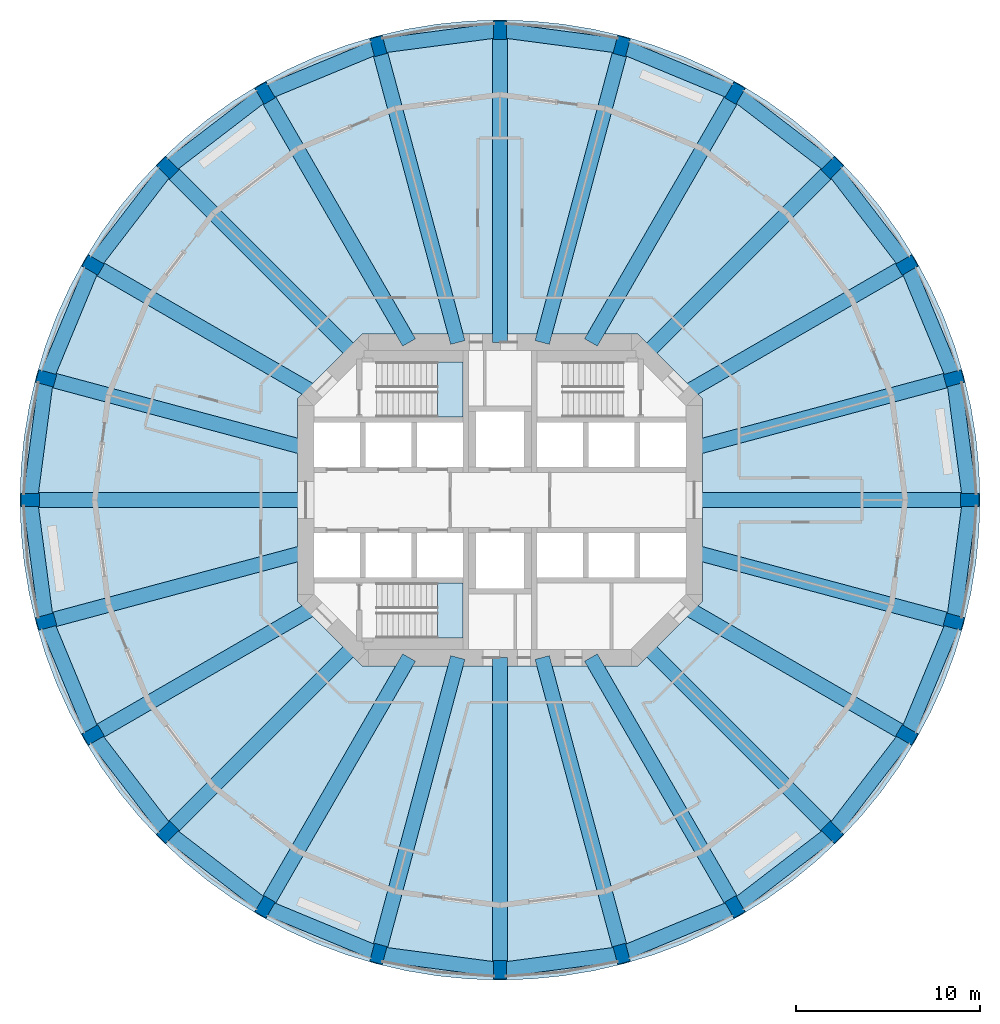
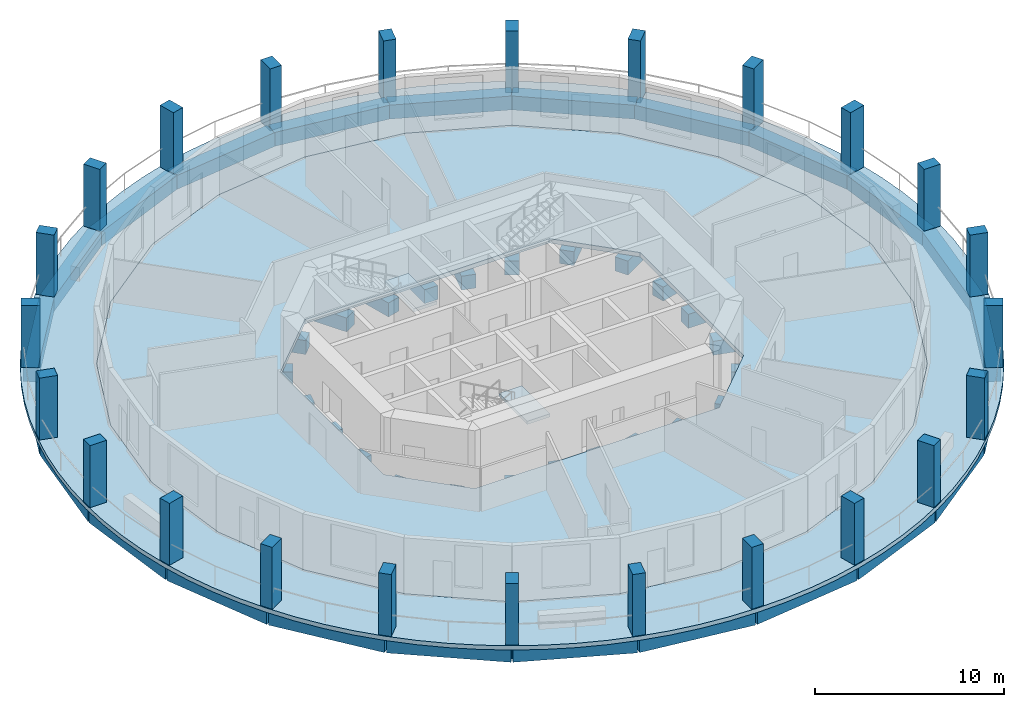
# One storey, part 1 of 8: 48 beams, 24 columns, 4 slabs, 2 elements without a shape of their own.
"""IFC4 building model written with IfcOpenShell, lengths in metres."""

from ifc_helpers import new_model, si_unit, direction, frame, origin, origin_2d, place, context, subcontext, project, spatial, polyline, rectangle, outline, extrude, material, layer, layer_set, material_profile, profile_set, type_object, element, aggregate, save


model = new_model("IFC4")

# Units and contexts
model_context = context("Model", 3, precision=1e-05, world=origin(), true_north=direction((0.0, 1.0)))
body_context = subcontext(model_context, "Body", "Model", "MODEL_VIEW")
ifc_project = project(units=[si_unit("LENGTHUNIT", "METRE"), si_unit("AREAUNIT", "SQUARE_METRE"), si_unit("VOLUMEUNIT", "CUBIC_METRE"), si_unit("PLANEANGLEUNIT", "RADIAN"), si_unit("MASSUNIT", "GRAM", prefix="KILO")], contexts=[model_context])

# Site, building, storey
site_placement = place(None, origin())
site = spatial("IfcSite", under=ifc_project, at=site_placement, CompositionType="ELEMENT")
building_placement = place(site_placement, origin())
building = spatial("IfcBuilding", under=site, at=building_placement, Name="Torre Triforio", CompositionType="ELEMENT")
storey_placement = place(building_placement, frame((0.0, 0.0, 94.60009765625)))
storey = spatial("IfcBuildingStorey", under=building, at=storey_placement, Name="L20", CompositionType="ELEMENT", Elevation=94.60009765625)

# Columns
ifc_material_1 = material(Name="Concrete C60", Category="concrete")
ifc_material_profile_1 = material_profile(ifc_material_1, rectangle(XDim=0.699951171875, YDim=1.0, at=origin_2d()), Name="RC 700x1000")
ifc_profile_set_1 = profile_set([ifc_material_profile_1], Name="Concrete C60")
column_type = type_object("IfcColumnType", Name="Pier RC 700x1000 C60", PredefinedType="COLUMN", material=ifc_profile_set_1)
for number, where, z_axis, x_axis, name in (
    (1, (25.5, 0.0, 0.0), (0.0, 0.0, 1.0), (0.0, 1.0, 0.0), "COL.R.L20.00"),
    (2, (24.631103515625, 6.599853515625, 0.0), (0.0, 0.0, 1.0), (-0.258819045103, 0.965925826289, 0.0), "COL.R.L20.01"),
    (3, (22.083740234375, 12.75, 0.0), (0.0, 0.0, 1.0), (-0.5, 0.866025403784, 0.0), "COL.R.L20.02"),
    (4, (18.03125, 18.03125, 0.0), (0.0, 0.0, 1.0), (-0.707106781187, 0.707106781187, 0.0), "COL.R.L20.03"),
    (5, (12.75, 22.083740234375, 0.0), (0.0, 0.0, 1.0), (-0.866025403784, 0.5, 0.0), "COL.R.L20.04"),
    (6, (6.599853515625, 24.631103515625, 0.0), (0.0, 0.0, 1.0), (-0.965925826289, 0.258819045103, 0.0), "COL.R.L20.05"),
    (7, (0.0, 25.5, 0.0), (0.0, 0.0, 1.0), (-1.0, 0.0, 0.0), "COL.R.L20.06"),
    (8, (-6.599853515625, 24.631103515625, 0.0), (0.0, 0.0, 1.0), (-0.965925826289, -0.258819045103, 0.0), "COL.R.L20.07"),
    (9, (-12.75, 22.083740234375, 0.0), (0.0, 0.0, 1.0), (-0.866025403784, -0.5, 0.0), "COL.R.L20.08"),
    (10, (-18.03125, 18.03125, 0.0), (0.0, 0.0, 1.0), (-0.707106781187, -0.707106781187, 0.0), "COL.R.L20.09"),
    (11, (-22.083740234375, 12.75, 0.0), (0.0, 0.0, 1.0), (-0.5, -0.866025403784, 0.0), "COL.R.L20.10"),
    (12, (-24.631103515625, 6.599853515625, 0.0), (0.0, 0.0, 1.0), (-0.258819045103, -0.965925826289, 0.0), "COL.R.L20.11"),
    (13, (-25.5, 0.0, 0.0), (0.0, 0.0, 1.0), (0.0, -1.0, 0.0), "COL.R.L20.12"),
    (14, (-24.631103515625, -6.599853515625, 0.0), (0.0, 0.0, 1.0), (0.258819045103, -0.965925826289, 0.0), "COL.R.L20.13"),
    (15, (-22.083740234375, -12.75, 0.0), (0.0, 0.0, 1.0), (0.5, -0.866025403784, 0.0), "COL.R.L20.14"),
    (16, (-18.03125, -18.03125, 0.0), (0.0, 0.0, 1.0), (0.707106781187, -0.707106781187, 0.0), "COL.R.L20.15"),
    (17, (-12.75, -22.083740234375, 0.0), (0.0, 0.0, 1.0), (0.866025403784, -0.5, 0.0), "COL.R.L20.16"),
    (18, (-6.599853515625, -24.631103515625, 0.0), (0.0, 0.0, 1.0), (0.965925826289, -0.258819045103, 0.0), "COL.R.L20.17"),
    (19, (0.0, -25.5, 0.0), (0.0, 0.0, 1.0), (1.0, 0.0, 0.0), "COL.R.L20.18"),
    (20, (6.599853515625, -24.631103515625, 0.0), (0.0, 0.0, 1.0), (0.965925826289, 0.258819045103, 0.0), "COL.R.L20.19"),
    (21, (12.75, -22.083740234375, 0.0), (0.0, 0.0, 1.0), (0.866025403784, 0.5, 0.0), "COL.R.L20.20"),
    (22, (18.03125, -18.03125, 0.0), (0.0, 0.0, 1.0), (0.707106781187, 0.707106781187, 0.0), "COL.R.L20.21"),
    (23, (22.083740234375, -12.75, 0.0), (0.0, 0.0, 1.0), (0.5, 0.866025403784, 0.0), "COL.R.L20.22"),
    (24, (24.631103515625, -6.599853515625, 0.0), (0.0, 0.0, 1.0), (0.258819045103, 0.965925826289, 0.0), "COL.R.L20.23"),
):
    element("IfcColumn", number, at=place(storey_placement, frame(where, z_axis=z_axis, x_axis=x_axis)), inside=storey, type_object=column_type, Name=name, PredefinedType="COLUMN", context=body_context, shape_type="SweptSolid", body=[
        extrude(rectangle(XDim=0.699951171875, YDim=1.0, at=origin_2d()), origin(), (0.0, 0.0, 1.0), 4.0),
    ])

# Beams
ifc_material_2 = material(Name="Concrete C50", Category="concrete")
ifc_material_profile_2 = material_profile(ifc_material_2, rectangle(XDim=0.800048828125, YDim=0.89990234375, at=origin_2d()), Name="RC 800x900")
ifc_profile_set_2 = profile_set([ifc_material_profile_2], Name="Concrete C50")
beam_type_1 = type_object("IfcBeamType", Name="Radial beam RC 800x900 C50", PredefinedType="BEAM", material=ifc_profile_set_2)
beam_1_placement = place(storey_placement, frame((10.550048828125, 0.0, -0.72998046875), z_axis=(1.0, 0.0, 0.0), x_axis=(0.0, 1.0, 0.0)))
element("IfcBeam", 25, at=beam_1_placement, inside=storey, type_object=beam_type_1, Name="BM.R.L20.00", PredefinedType="BEAM", context=body_context, shape_type="SweptSolid", body=[
    extrude(rectangle(XDim=0.800048828125, YDim=0.89990234375, at=origin_2d()), origin(), (0.0, 0.0, 1.0), 14.949951171875),
])
beam_2_placement = place(storey_placement, frame((10.550048828125, 2.826904296875, -0.72998046875), z_axis=(0.965926821176, 0.258815332104, 0.0), x_axis=(-0.258815332104, 0.965926821176, 0.0)))
element("IfcBeam", 26, at=beam_2_placement, inside=storey, type_object=beam_type_1, Name="BM.R.L20.01", PredefinedType="BEAM", context=body_context, shape_type="SweptSolid", body=[
    extrude(rectangle(XDim=0.800048828125, YDim=0.89990234375, at=origin_2d()), origin(), (0.0, 0.0, 1.0), 14.577880859375),
])
beam_3_placement = place(storey_placement, frame((10.039794921875, 5.796630859375, -0.72998046875), z_axis=(0.866031815519, 0.499988894385, 0.0), x_axis=(-0.499988894385, 0.866031815519, 0.0)))
element("IfcBeam", 27, at=beam_3_placement, inside=storey, type_object=beam_type_1, Name="BM.R.L20.02", PredefinedType="BEAM", context=body_context, shape_type="SweptSolid", body=[
    extrude(rectangle(XDim=0.800048828125, YDim=0.89990234375, at=origin_2d()), origin(), (0.0, 0.0, 1.0), 13.906982421875),
])
beam_4_placement = place(storey_placement, frame((7.918212890625, 7.918212890625, -0.72998046875), z_axis=(0.707106781187, 0.707106781187, 0.0), x_axis=(-0.707106781187, 0.707106781187, 0.0)))
element("IfcBeam", 28, at=beam_4_placement, inside=storey, type_object=beam_type_1, Name="BM.R.L20.03", PredefinedType="BEAM", context=body_context, shape_type="SweptSolid", body=[
    extrude(rectangle(XDim=0.800048828125, YDim=0.89990234375, at=origin_2d()), origin(), (0.0, 0.0, 1.0), 14.302001953125),
])
beam_5_placement = place(storey_placement, frame((4.936279296875, 8.550048828125, -0.72998046875), z_axis=(0.500001935381, 0.866024286389, 0.0), x_axis=(-0.866024286389, 0.500001935381, 0.0)))
element("IfcBeam", 29, at=beam_5_placement, inside=storey, type_object=beam_type_1, Name="BM.R.L20.04", PredefinedType="BEAM", context=body_context, shape_type="SweptSolid", body=[
    extrude(rectangle(XDim=0.800048828125, YDim=0.89990234375, at=origin_2d()), origin(), (0.0, 0.0, 1.0), 15.62744140625),
])
beam_6_placement = place(storey_placement, frame((2.291015625, 8.550048828125, -0.72998046875), z_axis=(0.25881524955, 0.965926843296, 0.0), x_axis=(-0.965926843296, 0.25881524955, 0.0)))
element("IfcBeam", 30, at=beam_6_placement, inside=storey, type_object=beam_type_1, Name="BM.R.L20.05", PredefinedType="BEAM", context=body_context, shape_type="SweptSolid", body=[
    extrude(rectangle(XDim=0.800048828125, YDim=0.89990234375, at=origin_2d()), origin(), (0.0, 0.0, 1.0), 16.648193359375),
])
beam_7_placement = place(storey_placement, frame((0.0, 8.550048828125, -0.72998046875), z_axis=(0.0, 1.0, 0.0), x_axis=(-1.0, 0.0, 0.0)))
element("IfcBeam", 31, at=beam_7_placement, inside=storey, type_object=beam_type_1, Name="BM.R.L20.06", PredefinedType="BEAM", context=body_context, shape_type="SweptSolid", body=[
    extrude(rectangle(XDim=0.800048828125, YDim=0.89990234375, at=origin_2d()), origin(), (0.0, 0.0, 1.0), 16.949951171875),
])
beam_8_placement = place(storey_placement, frame((-2.291015625, 8.550048828125, -0.72998046875), z_axis=(-0.25881524955, 0.965926843296, 0.0), x_axis=(-0.965926843296, -0.25881524955, 0.0)))
element("IfcBeam", 32, at=beam_8_placement, inside=storey, type_object=beam_type_1, Name="BM.R.L20.07", PredefinedType="BEAM", context=body_context, shape_type="SweptSolid", body=[
    extrude(rectangle(XDim=0.800048828125, YDim=0.89990234375, at=origin_2d()), origin(), (0.0, 0.0, 1.0), 16.648193359375),
])
beam_9_placement = place(storey_placement, frame((-4.936279296875, 8.550048828125, -0.72998046875), z_axis=(-0.500001935381, 0.866024286389, 0.0), x_axis=(-0.866024286389, -0.500001935381, 0.0)))
element("IfcBeam", 33, at=beam_9_placement, inside=storey, type_object=beam_type_1, Name="BM.R.L20.08", PredefinedType="BEAM", context=body_context, shape_type="SweptSolid", body=[
    extrude(rectangle(XDim=0.800048828125, YDim=0.89990234375, at=origin_2d()), origin(), (0.0, 0.0, 1.0), 15.62744140625),
])
beam_10_placement = place(storey_placement, frame((-7.918212890625, 7.918212890625, -0.72998046875), z_axis=(-0.707106781187, 0.707106781187, 0.0), x_axis=(-0.707106781187, -0.707106781187, 0.0)))
element("IfcBeam", 34, at=beam_10_placement, inside=storey, type_object=beam_type_1, Name="BM.R.L20.09", PredefinedType="BEAM", context=body_context, shape_type="SweptSolid", body=[
    extrude(rectangle(XDim=0.800048828125, YDim=0.89990234375, at=origin_2d()), origin(), (0.0, 0.0, 1.0), 14.302001953125),
])
beam_11_placement = place(storey_placement, frame((-10.039794921875, 5.796630859375, -0.72998046875), z_axis=(-0.866031815519, 0.499988894385, 0.0), x_axis=(-0.499988894385, -0.866031815519, 0.0)))
element("IfcBeam", 35, at=beam_11_placement, inside=storey, type_object=beam_type_1, Name="BM.R.L20.10", PredefinedType="BEAM", context=body_context, shape_type="SweptSolid", body=[
    extrude(rectangle(XDim=0.800048828125, YDim=0.89990234375, at=origin_2d()), origin(), (0.0, 0.0, 1.0), 13.906982421875),
])
beam_12_placement = place(storey_placement, frame((-10.550048828125, 2.826904296875, -0.72998046875), z_axis=(-0.965926821176, 0.258815332104, 0.0), x_axis=(-0.258815332104, -0.965926821176, 0.0)))
element("IfcBeam", 36, at=beam_12_placement, inside=storey, type_object=beam_type_1, Name="BM.R.L20.11", PredefinedType="BEAM", context=body_context, shape_type="SweptSolid", body=[
    extrude(rectangle(XDim=0.800048828125, YDim=0.89990234375, at=origin_2d()), origin(), (0.0, 0.0, 1.0), 14.577880859375),
])
beam_13_placement = place(storey_placement, frame((-10.550048828125, 0.0, -0.72998046875), z_axis=(-1.0, 0.0, 0.0), x_axis=(0.0, -1.0, 0.0)))
element("IfcBeam", 37, at=beam_13_placement, inside=storey, type_object=beam_type_1, Name="BM.R.L20.12", PredefinedType="BEAM", context=body_context, shape_type="SweptSolid", body=[
    extrude(rectangle(XDim=0.800048828125, YDim=0.89990234375, at=origin_2d()), origin(), (0.0, 0.0, 1.0), 14.949951171875),
])
beam_14_placement = place(storey_placement, frame((-10.550048828125, -2.826904296875, -0.72998046875), z_axis=(-0.965926821176, -0.258815332104, 0.0), x_axis=(0.258815332104, -0.965926821176, 0.0)))
element("IfcBeam", 38, at=beam_14_placement, inside=storey, type_object=beam_type_1, Name="BM.R.L20.13", PredefinedType="BEAM", context=body_context, shape_type="SweptSolid", body=[
    extrude(rectangle(XDim=0.800048828125, YDim=0.89990234375, at=origin_2d()), origin(), (0.0, 0.0, 1.0), 14.577880859375),
])
beam_15_placement = place(storey_placement, frame((-10.039794921875, -5.796630859375, -0.72998046875), z_axis=(-0.866031815519, -0.499988894385, 0.0), x_axis=(0.499988894385, -0.866031815519, 0.0)))
element("IfcBeam", 39, at=beam_15_placement, inside=storey, type_object=beam_type_1, Name="BM.R.L20.14", PredefinedType="BEAM", context=body_context, shape_type="SweptSolid", body=[
    extrude(rectangle(XDim=0.800048828125, YDim=0.89990234375, at=origin_2d()), origin(), (0.0, 0.0, 1.0), 13.906982421875),
])
beam_16_placement = place(storey_placement, frame((-7.918212890625, -7.918212890625, -0.72998046875), z_axis=(-0.707106781187, -0.707106781187, 0.0), x_axis=(0.707106781187, -0.707106781187, 0.0)))
element("IfcBeam", 40, at=beam_16_placement, inside=storey, type_object=beam_type_1, Name="BM.R.L20.15", PredefinedType="BEAM", context=body_context, shape_type="SweptSolid", body=[
    extrude(rectangle(XDim=0.800048828125, YDim=0.89990234375, at=origin_2d()), origin(), (0.0, 0.0, 1.0), 14.302001953125),
])
beam_17_placement = place(storey_placement, frame((-4.936279296875, -8.550048828125, -0.72998046875), z_axis=(-0.500001935381, -0.866024286389, 0.0), x_axis=(0.866024286389, -0.500001935381, 0.0)))
element("IfcBeam", 41, at=beam_17_placement, inside=storey, type_object=beam_type_1, Name="BM.R.L20.16", PredefinedType="BEAM", context=body_context, shape_type="SweptSolid", body=[
    extrude(rectangle(XDim=0.800048828125, YDim=0.89990234375, at=origin_2d()), origin(), (0.0, 0.0, 1.0), 15.62744140625),
])
beam_18_placement = place(storey_placement, frame((-2.291015625, -8.550048828125, -0.72998046875), z_axis=(-0.25881524955, -0.965926843296, 0.0), x_axis=(0.965926843296, -0.25881524955, 0.0)))
element("IfcBeam", 42, at=beam_18_placement, inside=storey, type_object=beam_type_1, Name="BM.R.L20.17", PredefinedType="BEAM", context=body_context, shape_type="SweptSolid", body=[
    extrude(rectangle(XDim=0.800048828125, YDim=0.89990234375, at=origin_2d()), origin(), (0.0, 0.0, 1.0), 16.648193359375),
])
beam_19_placement = place(storey_placement, frame((0.0, -8.550048828125, -0.72998046875), z_axis=(0.0, -1.0, 0.0), x_axis=(1.0, 0.0, 0.0)))
element("IfcBeam", 43, at=beam_19_placement, inside=storey, type_object=beam_type_1, Name="BM.R.L20.18", PredefinedType="BEAM", context=body_context, shape_type="SweptSolid", body=[
    extrude(rectangle(XDim=0.800048828125, YDim=0.89990234375, at=origin_2d()), origin(), (0.0, 0.0, 1.0), 16.949951171875),
])
beam_20_placement = place(storey_placement, frame((2.291015625, -8.550048828125, -0.72998046875), z_axis=(0.25881524955, -0.965926843296, 0.0), x_axis=(0.965926843296, 0.25881524955, 0.0)))
element("IfcBeam", 44, at=beam_20_placement, inside=storey, type_object=beam_type_1, Name="BM.R.L20.19", PredefinedType="BEAM", context=body_context, shape_type="SweptSolid", body=[
    extrude(rectangle(XDim=0.800048828125, YDim=0.89990234375, at=origin_2d()), origin(), (0.0, 0.0, 1.0), 16.648193359375),
])
beam_21_placement = place(storey_placement, frame((4.936279296875, -8.550048828125, -0.72998046875), z_axis=(0.500001935381, -0.866024286389, 0.0), x_axis=(0.866024286389, 0.500001935381, 0.0)))
element("IfcBeam", 45, at=beam_21_placement, inside=storey, type_object=beam_type_1, Name="BM.R.L20.20", PredefinedType="BEAM", context=body_context, shape_type="SweptSolid", body=[
    extrude(rectangle(XDim=0.800048828125, YDim=0.89990234375, at=origin_2d()), origin(), (0.0, 0.0, 1.0), 15.62744140625),
])
beam_22_placement = place(storey_placement, frame((7.918212890625, -7.918212890625, -0.72998046875), z_axis=(0.707106781187, -0.707106781187, 0.0), x_axis=(0.707106781187, 0.707106781187, 0.0)))
element("IfcBeam", 46, at=beam_22_placement, inside=storey, type_object=beam_type_1, Name="BM.R.L20.21", PredefinedType="BEAM", context=body_context, shape_type="SweptSolid", body=[
    extrude(rectangle(XDim=0.800048828125, YDim=0.89990234375, at=origin_2d()), origin(), (0.0, 0.0, 1.0), 14.302001953125),
])
beam_23_placement = place(storey_placement, frame((10.039794921875, -5.796630859375, -0.72998046875), z_axis=(0.866031815519, -0.499988894385, 0.0), x_axis=(0.499988894385, 0.866031815519, 0.0)))
element("IfcBeam", 47, at=beam_23_placement, inside=storey, type_object=beam_type_1, Name="BM.R.L20.22", PredefinedType="BEAM", context=body_context, shape_type="SweptSolid", body=[
    extrude(rectangle(XDim=0.800048828125, YDim=0.89990234375, at=origin_2d()), origin(), (0.0, 0.0, 1.0), 13.906982421875),
])
beam_24_placement = place(storey_placement, frame((10.550048828125, -2.826904296875, -0.72998046875), z_axis=(0.965926821176, -0.258815332104, 0.0), x_axis=(0.258815332104, 0.965926821176, 0.0)))
element("IfcBeam", 48, at=beam_24_placement, inside=storey, type_object=beam_type_1, Name="BM.R.L20.23", PredefinedType="BEAM", context=body_context, shape_type="SweptSolid", body=[
    extrude(rectangle(XDim=0.800048828125, YDim=0.89990234375, at=origin_2d()), origin(), (0.0, 0.0, 1.0), 14.577880859375),
])
ifc_material_profile_3 = material_profile(ifc_material_2, rectangle(XDim=0.800048828125, YDim=0.89990234375, at=origin_2d()), Name="RC 800x900")
ifc_profile_set_3 = profile_set([ifc_material_profile_3], Name="Concrete C50")
beam_type_2 = type_object("IfcBeamType", Name="Spandrel beam RC 800x900 C50", PredefinedType="SPANDREL", material=ifc_profile_set_3)
for number, where, z_axis, x_axis, name in (
    (49, (25.5, 0.0, -0.72998046875), (-0.130527563319, 0.991444680864, 0.0), (-0.991444680864, -0.130527563319, 0.0), "BM.S.L20.00"),
    (50, (24.631103515625, 6.599853515625, -0.72998046875), (-0.382669224891, 0.923885417312, 0.0), (-0.923885417312, -0.382669224891, 0.0), "BM.S.L20.01"),
):
    element("IfcBeam", number, at=place(storey_placement, frame(where, z_axis=z_axis, x_axis=x_axis)), inside=storey, type_object=beam_type_2, Name=name, PredefinedType="SPANDREL", context=body_context, shape_type="SweptSolid", body=[
        extrude(rectangle(XDim=0.800048828125, YDim=0.89990234375, at=origin_2d()), origin(), (0.0, 0.0, 1.0), 6.65673828125),
    ])
for number, where, z_axis, x_axis, name in (
    (51, (22.083740234375, 12.75, -0.72998046875), (-0.608765643954, 0.793350106032, 0.0), (-0.793350106032, -0.608765643954, 0.0), "BM.S.L20.02"),
    (52, (18.03125, 18.03125, -0.72998046875), (-0.793350106032, 0.608765643954, 0.0), (-0.608765643954, -0.793350106032, 0.0), "BM.S.L20.03"),
):
    element("IfcBeam", number, at=place(storey_placement, frame(where, z_axis=z_axis, x_axis=x_axis)), inside=storey, type_object=beam_type_2, Name=name, PredefinedType="SPANDREL", context=body_context, shape_type="SweptSolid", body=[
        extrude(rectangle(XDim=0.800048828125, YDim=0.89990234375, at=origin_2d()), origin(), (0.0, 0.0, 1.0), 6.656982421875),
    ])
for number, where, z_axis, x_axis, name in (
    (53, (12.75, 22.083740234375, -0.72998046875), (-0.923885417312, 0.382669224891, 0.0), (-0.382669224891, -0.923885417312, 0.0), "BM.S.L20.04"),
    (54, (6.599853515625, 24.631103515625, -0.72998046875), (-0.991444680864, 0.130527563319, 0.0), (-0.130527563319, -0.991444680864, 0.0), "BM.S.L20.05"),
    (55, (0.0, 25.5, -0.72998046875), (-0.991444680864, -0.130527563319, 0.0), (0.130527563319, -0.991444680864, 0.0), "BM.S.L20.06"),
    (56, (-6.599853515625, 24.631103515625, -0.72998046875), (-0.923885417312, -0.382669224891, 0.0), (0.382669224891, -0.923885417312, 0.0), "BM.S.L20.07"),
):
    element("IfcBeam", number, at=place(storey_placement, frame(where, z_axis=z_axis, x_axis=x_axis)), inside=storey, type_object=beam_type_2, Name=name, PredefinedType="SPANDREL", context=body_context, shape_type="SweptSolid", body=[
        extrude(rectangle(XDim=0.800048828125, YDim=0.89990234375, at=origin_2d()), origin(), (0.0, 0.0, 1.0), 6.65673828125),
    ])
for number, where, z_axis, x_axis, name in (
    (57, (-12.75, 22.083740234375, -0.72998046875), (-0.793350106032, -0.608765643954, 0.0), (0.608765643954, -0.793350106032, 0.0), "BM.S.L20.08"),
    (58, (-18.03125, 18.03125, -0.72998046875), (-0.608765643954, -0.793350106032, 0.0), (0.793350106032, -0.608765643954, 0.0), "BM.S.L20.09"),
):
    element("IfcBeam", number, at=place(storey_placement, frame(where, z_axis=z_axis, x_axis=x_axis)), inside=storey, type_object=beam_type_2, Name=name, PredefinedType="SPANDREL", context=body_context, shape_type="SweptSolid", body=[
        extrude(rectangle(XDim=0.800048828125, YDim=0.89990234375, at=origin_2d()), origin(), (0.0, 0.0, 1.0), 6.656982421875),
    ])
for number, where, z_axis, x_axis, name in (
    (59, (-22.083740234375, 12.75, -0.72998046875), (-0.382669224891, -0.923885417312, 0.0), (0.923885417312, -0.382669224891, 0.0), "BM.S.L20.10"),
    (60, (-24.631103515625, 6.599853515625, -0.72998046875), (-0.130527563319, -0.991444680864, 0.0), (0.991444680864, -0.130527563319, 0.0), "BM.S.L20.11"),
    (61, (-25.5, 0.0, -0.72998046875), (0.130527563319, -0.991444680864, 0.0), (0.991444680864, 0.130527563319, 0.0), "BM.S.L20.12"),
    (62, (-24.631103515625, -6.599853515625, -0.72998046875), (0.382669224891, -0.923885417312, 0.0), (0.923885417312, 0.382669224891, 0.0), "BM.S.L20.13"),
):
    element("IfcBeam", number, at=place(storey_placement, frame(where, z_axis=z_axis, x_axis=x_axis)), inside=storey, type_object=beam_type_2, Name=name, PredefinedType="SPANDREL", context=body_context, shape_type="SweptSolid", body=[
        extrude(rectangle(XDim=0.800048828125, YDim=0.89990234375, at=origin_2d()), origin(), (0.0, 0.0, 1.0), 6.65673828125),
    ])
for number, where, z_axis, x_axis, name in (
    (63, (-22.083740234375, -12.75, -0.72998046875), (0.608765643954, -0.793350106032, 0.0), (0.793350106032, 0.608765643954, 0.0), "BM.S.L20.14"),
    (64, (-18.03125, -18.03125, -0.72998046875), (0.793350106032, -0.608765643954, 0.0), (0.608765643954, 0.793350106032, 0.0), "BM.S.L20.15"),
):
    element("IfcBeam", number, at=place(storey_placement, frame(where, z_axis=z_axis, x_axis=x_axis)), inside=storey, type_object=beam_type_2, Name=name, PredefinedType="SPANDREL", context=body_context, shape_type="SweptSolid", body=[
        extrude(rectangle(XDim=0.800048828125, YDim=0.89990234375, at=origin_2d()), origin(), (0.0, 0.0, 1.0), 6.656982421875),
    ])
for number, where, z_axis, x_axis, name in (
    (65, (-12.75, -22.083740234375, -0.72998046875), (0.923885417312, -0.382669224891, 0.0), (0.382669224891, 0.923885417312, 0.0), "BM.S.L20.16"),
    (66, (-6.599853515625, -24.631103515625, -0.72998046875), (0.991444680864, -0.130527563319, 0.0), (0.130527563319, 0.991444680864, 0.0), "BM.S.L20.17"),
    (67, (0.0, -25.5, -0.72998046875), (0.991444680864, 0.130527563319, 0.0), (-0.130527563319, 0.991444680864, 0.0), "BM.S.L20.18"),
    (68, (6.599853515625, -24.631103515625, -0.72998046875), (0.923885417312, 0.382669224891, 0.0), (-0.382669224891, 0.923885417312, 0.0), "BM.S.L20.19"),
):
    element("IfcBeam", number, at=place(storey_placement, frame(where, z_axis=z_axis, x_axis=x_axis)), inside=storey, type_object=beam_type_2, Name=name, PredefinedType="SPANDREL", context=body_context, shape_type="SweptSolid", body=[
        extrude(rectangle(XDim=0.800048828125, YDim=0.89990234375, at=origin_2d()), origin(), (0.0, 0.0, 1.0), 6.65673828125),
    ])
for number, where, z_axis, x_axis, name in (
    (69, (12.75, -22.083740234375, -0.72998046875), (0.793350106032, 0.608765643954, 0.0), (-0.608765643954, 0.793350106032, 0.0), "BM.S.L20.20"),
    (70, (18.03125, -18.03125, -0.72998046875), (0.608765643954, 0.793350106032, 0.0), (-0.793350106032, 0.608765643954, 0.0), "BM.S.L20.21"),
):
    element("IfcBeam", number, at=place(storey_placement, frame(where, z_axis=z_axis, x_axis=x_axis)), inside=storey, type_object=beam_type_2, Name=name, PredefinedType="SPANDREL", context=body_context, shape_type="SweptSolid", body=[
        extrude(rectangle(XDim=0.800048828125, YDim=0.89990234375, at=origin_2d()), origin(), (0.0, 0.0, 1.0), 6.656982421875),
    ])
for number, where, z_axis, x_axis, name in (
    (71, (22.083740234375, -12.75, -0.72998046875), (0.382669224891, 0.923885417312, 0.0), (-0.923885417312, 0.382669224891, 0.0), "BM.S.L20.22"),
    (72, (24.631103515625, -6.599853515625, -0.72998046875), (0.130527563319, 0.991444680864, 0.0), (-0.991444680864, 0.130527563319, 0.0), "BM.S.L20.23"),
):
    element("IfcBeam", number, at=place(storey_placement, frame(where, z_axis=z_axis, x_axis=x_axis)), inside=storey, type_object=beam_type_2, Name=name, PredefinedType="SPANDREL", context=body_context, shape_type="SweptSolid", body=[
        extrude(rectangle(XDim=0.800048828125, YDim=0.89990234375, at=origin_2d()), origin(), (0.0, 0.0, 1.0), 6.65673828125),
    ])

# Slabs
ifc_layer_1 = layer(ifc_material_2, 0.280029296875)
ifc_layer_set_1 = layer_set([ifc_layer_1], Name="Concrete C50")
slab_type_1 = type_object("IfcSlabType", Name="Floor slab 280 C50", PredefinedType="FLOOR", material=ifc_layer_set_1)
slab_1_placement = place(storey_placement, frame((0.0, 0.0, -0.280029296875)))
element("IfcSlab", 73, at=slab_1_placement, inside=storey, type_object=slab_type_1, Name="SL.L20", PredefinedType="FLOOR", context=body_context, shape_type="SweptSolid", body=[
    extrude(outline(polyline([(19.052490234375, -11.0), (21.25048828125, -5.694091796875), (22.0, 0.0), (21.25048828125, 5.694091796875), (19.052490234375, 11.0), (15.556396484375, 15.556396484375), (11.0, 19.052490234375), (5.694091796875, 21.25048828125), (0.0, 22.0), (-5.694091796875, 21.25048828125), (-11.0, 19.052490234375), (-15.556396484375, 15.556396484375), (-19.052490234375, 11.0), (-21.25048828125, 5.694091796875), (-22.0, 0.0), (-21.25048828125, -5.694091796875), (-19.052490234375, -11.0), (-15.556396484375, -15.556396484375), (-11.0, -19.052490234375), (-5.694091796875, -21.25048828125), (0.0, -22.0), (5.694091796875, -21.25048828125), (11.0, -19.052490234375), (15.556396484375, -15.556396484375), (19.052490234375, -11.0)]), holes=[polyline([(11.0, 5.472900390625), (11.0, -5.472900390625), (7.472900390625, -9.0), (-7.472900390625, -9.0), (-11.0, -5.472900390625), (-11.0, 5.472900390625), (-7.472900390625, 9.0), (7.472900390625, 9.0), (11.0, 5.472900390625)])]), origin(), (0.0, 0.0, 1.0), 0.280029296875),
])
ifc_layer_2 = layer(ifc_material_2, 0.280029296875)
ifc_layer_set_2 = layer_set([ifc_layer_2], Name="Concrete C50")
slab_type_2 = type_object("IfcSlabType", Name="Loggia slab 280 C50", PredefinedType="FLOOR", material=ifc_layer_set_2)
slab_2_placement = place(storey_placement, frame((0.0, 0.0, -0.280029296875)))
element("IfcSlab", 74, at=slab_2_placement, inside=storey, type_object=slab_type_2, Name="SL.L20.LG", PredefinedType="FLOOR", context=body_context, shape_type="SweptSolid", body=[
    extrude(outline(polyline([(25.994140625, -1.703857421875), (26.050048828125, 0.0), (25.994140625, 1.703857421875), (25.8271484375, 3.400146484375), (25.549560546875, 5.08203125), (25.162353515625, 6.7421875), (24.66748046875, 8.37353515625), (24.067138671875, 9.968994140625), (23.363525390625, 11.521728515625), (22.56005859375, 13.02490234375), (21.65966796875, 14.47265625), (20.666748046875, 15.858154296875), (19.58544921875, 17.176025390625), (18.420166015625, 18.420166015625), (17.176025390625, 19.58544921875), (15.858154296875, 20.666748046875), (14.47265625, 21.65966796875), (13.02490234375, 22.56005859375), (11.521728515625, 23.363525390625), (9.968994140625, 24.067138671875), (8.37353515625, 24.66748046875), (6.7421875, 25.162353515625), (5.08203125, 25.549560546875), (3.400146484375, 25.8271484375), (1.703857421875, 25.994140625), (0.0, 26.050048828125), (-1.703857421875, 25.994140625), (-3.400146484375, 25.8271484375), (-5.08203125, 25.549560546875), (-6.7421875, 25.162353515625), (-8.37353515625, 24.66748046875), (-9.968994140625, 24.067138671875), (-11.521728515625, 23.363525390625), (-13.02490234375, 22.56005859375), (-14.47265625, 21.65966796875), (-15.858154296875, 20.666748046875), (-17.176025390625, 19.58544921875), (-18.420166015625, 18.420166015625), (-19.58544921875, 17.176025390625), (-20.666748046875, 15.858154296875), (-21.65966796875, 14.47265625), (-22.56005859375, 13.02490234375), (-23.363525390625, 11.521728515625), (-24.067138671875, 9.968994140625), (-24.66748046875, 8.37353515625), (-25.162353515625, 6.7421875), (-25.549560546875, 5.08203125), (-25.8271484375, 3.400146484375), (-25.994140625, 1.703857421875), (-26.050048828125, 0.0), (-25.994140625, -1.703857421875), (-25.8271484375, -3.400146484375), (-25.549560546875, -5.08203125), (-25.162353515625, -6.7421875), (-24.66748046875, -8.37353515625), (-24.067138671875, -9.968994140625), (-23.363525390625, -11.521728515625), (-22.56005859375, -13.02490234375), (-21.65966796875, -14.47265625), (-20.666748046875, -15.858154296875), (-19.58544921875, -17.176025390625), (-18.420166015625, -18.420166015625), (-17.176025390625, -19.58544921875), (-15.858154296875, -20.666748046875), (-14.47265625, -21.65966796875), (-13.02490234375, -22.56005859375), (-11.521728515625, -23.363525390625), (-9.968994140625, -24.067138671875), (-8.37353515625, -24.66748046875), (-6.7421875, -25.162353515625), (-5.08203125, -25.549560546875), (-3.400146484375, -25.8271484375), (-1.703857421875, -25.994140625), (0.0, -26.050048828125), (1.703857421875, -25.994140625), (3.400146484375, -25.8271484375), (5.08203125, -25.549560546875), (6.7421875, -25.162353515625), (8.37353515625, -24.66748046875), (9.968994140625, -24.067138671875), (11.521728515625, -23.363525390625), (13.02490234375, -22.56005859375), (14.47265625, -21.65966796875), (15.858154296875, -20.666748046875), (17.176025390625, -19.58544921875), (18.420166015625, -18.420166015625), (19.58544921875, -17.176025390625), (20.666748046875, -15.858154296875), (21.65966796875, -14.47265625), (22.56005859375, -13.02490234375), (23.363525390625, -11.521728515625), (24.067138671875, -9.968994140625), (24.66748046875, -8.37353515625), (25.162353515625, -6.7421875), (25.549560546875, -5.08203125), (25.8271484375, -3.400146484375), (25.994140625, -1.703857421875)]), holes=[polyline([(21.25048828125, 5.694091796875), (22.0, 0.0), (21.25048828125, -5.694091796875), (19.052490234375, -11.0), (15.556396484375, -15.556396484375), (11.0, -19.052490234375), (5.694091796875, -21.25048828125), (0.0, -22.0), (-5.694091796875, -21.25048828125), (-11.0, -19.052490234375), (-15.556396484375, -15.556396484375), (-19.052490234375, -11.0), (-21.25048828125, -5.694091796875), (-22.0, 0.0), (-21.25048828125, 5.694091796875), (-19.052490234375, 11.0), (-15.556396484375, 15.556396484375), (-11.0, 19.052490234375), (-5.694091796875, 21.25048828125), (0.0, 22.0), (5.694091796875, 21.25048828125), (11.0, 19.052490234375), (15.556396484375, 15.556396484375), (19.052490234375, 11.0), (21.25048828125, 5.694091796875)])]), origin(), (0.0, 0.0, 1.0), 0.280029296875),
])

# Stair, slab
ifc_material_3 = material(Name="Concrete C40", Category="concrete")
stair_type = type_object("IfcStairType", Name="STAIR HALF-TURN", PredefinedType="HALF_TURN_STAIR", material=ifc_material_3)
stair_1_placement = place(storey_placement, origin())
stair_1 = element("IfcStair", 75, at=stair_1_placement, inside=storey, type_object=stair_type, Name="Exit stair 1", PredefinedType="HALF_TURN_STAIR")
ifc_layer_3 = layer(ifc_material_3, 0.199951171875)
ifc_layer_set_3 = layer_set([ifc_layer_3], Name="Concrete C40")
slab_type_3 = type_object("IfcSlabType", Name="STAIR LANDING 200", PredefinedType="LANDING", material=ifc_layer_set_3)
slab_3_placement = place(storey_placement, frame((0.0, 0.0, 1.7998046875)))
slab_3 = element("IfcSlab", 76, at=slab_3_placement, type_object=slab_type_3, Name="ST1 landing 1", PredefinedType="LANDING", context=body_context, shape_type="SweptSolid", body=[
    extrude(outline(polyline([(-2.0, 4.5), (-2.0, 7.5), (-3.39990234375, 7.5), (-3.39990234375, 4.5), (-2.0, 4.5)])), origin(), (0.0, 0.0, 1.0), 0.2001953125),
])
aggregate(stair_1, [slab_3])

stair_2_placement = place(storey_placement, origin())
stair_2 = element("IfcStair", 77, at=stair_2_placement, inside=storey, type_object=stair_type, Name="Exit stair 3", PredefinedType="HALF_TURN_STAIR")
slab_4_placement = place(storey_placement, frame((0.0, 0.0, 1.7998046875)))
slab_4 = element("IfcSlab", 78, at=slab_4_placement, type_object=slab_type_3, Name="ST3 landing 1", PredefinedType="LANDING", context=body_context, shape_type="SweptSolid", body=[
    extrude(outline(polyline([(-2.0, -7.5), (-2.0, -4.5), (-3.39990234375, -4.5), (-3.39990234375, -7.5), (-2.0, -7.5)])), origin(), (0.0, 0.0, 1.0), 0.2001953125),
])
aggregate(stair_2, [slab_4])

save(model, "model.ifc")
